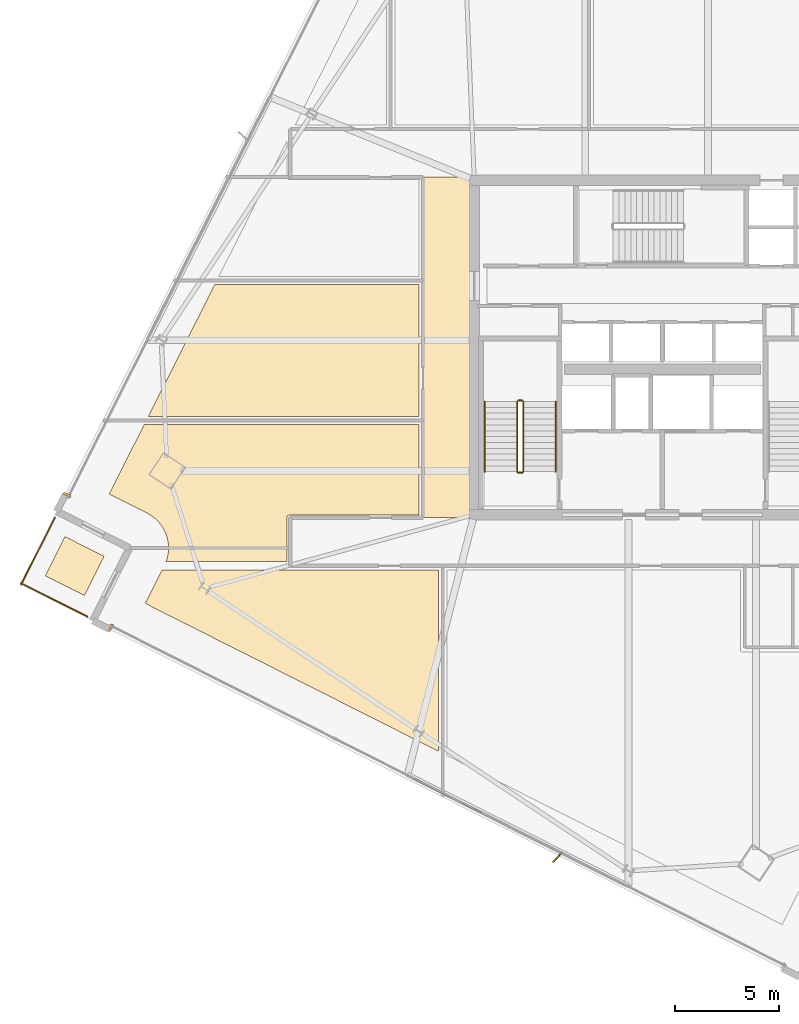
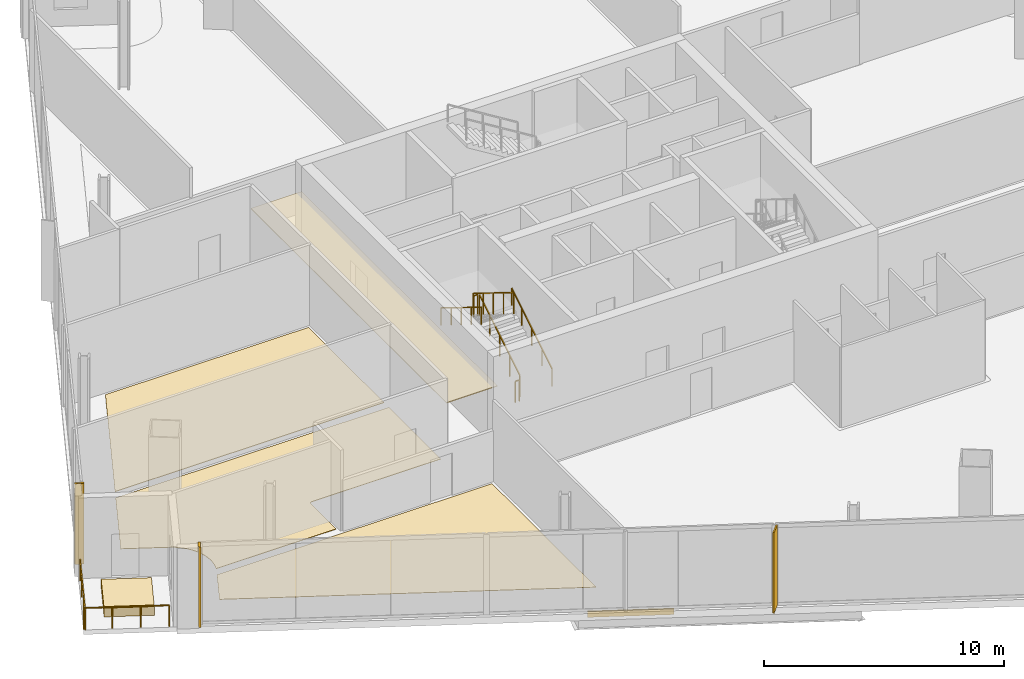
# One storey, part 23 of 27: 8 coverings, 8 railings, 1 shading device.
"""IFC4 building model written with IfcOpenShell, lengths in metres."""

from ifc_helpers import new_model, si_unit, direction, frame, origin, origin_2d, place, context, subcontext, project, spatial, polyline, rectangle, outline, extrude, source, transform, mapped, material, layer, layer_set, type_object, element, save


model = new_model("IFC4")

# Units and contexts
model_context = context("Model", 3, precision=1e-05, world=origin(), true_north=direction((0.0, 1.0)))
body_context = subcontext(model_context, "Body", "Model", "MODEL_VIEW")
ifc_project = project(units=[si_unit("LENGTHUNIT", "METRE"), si_unit("AREAUNIT", "SQUARE_METRE"), si_unit("VOLUMEUNIT", "CUBIC_METRE"), si_unit("PLANEANGLEUNIT", "RADIAN"), si_unit("MASSUNIT", "GRAM", prefix="KILO")], contexts=[model_context])

# Site, building, storey
site_placement = place(None, origin())
site = spatial("IfcSite", under=ifc_project, at=site_placement, CompositionType="ELEMENT")
building_placement = place(site_placement, origin())
building = spatial("IfcBuilding", under=site, at=building_placement, Name="Haldenkirk Collegiate Tower", CompositionType="ELEMENT")
storey_placement = place(building_placement, frame((0.0, 0.0, 239.699951171875)))
storey = spatial("IfcBuildingStorey", under=building, at=storey_placement, Name="L60", CompositionType="ELEMENT", Elevation=239.699951171875)

# Coverings
ifc_material_1 = material(Name="Suspended mineral-fibre acoustic tile", Category="concrete")
ifc_layer_1 = layer(ifc_material_1, 0.0400390625)
ifc_layer_set_1 = layer_set([ifc_layer_1], Name="Suspended mineral-fibre acoustic tile")
covering_type_1 = type_object("IfcCoveringType", Name="COV-CEIL-ACOUSTIC", PredefinedType="CEILING", material=ifc_layer_set_1)
covering_1_placement = place(storey_placement, frame((0.0, 0.0, 2.85009765625)))
element("IfcCovering", 1, at=covering_1_placement, inside=storey, type_object=covering_type_1, Name="L60 acoustic suspended ceiling CLG-L60-COR", PredefinedType="CEILING", context=body_context, shape_type="SweptSolid", body=[
    extrude(outline(polyline([(24.550048828125, 17.85009765625), (27.0, 17.85009765625), (27.0, 34.14990234375), (24.550048828125, 34.14990234375), (24.550048828125, 17.85009765625)])), origin(), (0.0, 0.0, 1.0), 0.0400390625),
])
ifc_material_2 = material(Name="Polished collegiate terrazzo", Category="concrete")
ifc_layer_2 = layer(ifc_material_2, 0.02490234375)
ifc_layer_set_2 = layer_set([ifc_layer_2], Name="Polished collegiate terrazzo")
covering_type_2 = type_object("IfcCoveringType", Name="COV-FLOOR-TERRAZZO", PredefinedType="FLOORING", material=ifc_layer_set_2)
covering_2_placement = place(storey_placement, origin())
element("IfcCovering", 2, at=covering_2_placement, inside=storey, type_object=covering_type_2, Name="L60 academic room finish 08", PredefinedType="FLOORING", context=body_context, shape_type="SweptSolid", body=[
    extrude(outline(polyline([(14.57763671875, 29.0), (24.35009765625, 29.0), (24.35009765625, 22.699951171875), (11.402099609375, 22.699951171875), (14.57763671875, 29.0)])), origin(), (0.0, 0.0, 1.0), 0.025146484375),
])
ifc_material_3 = material(Name="Engineered collegiate oak acoustic flooring", Category="wood")
ifc_layer_3 = layer(ifc_material_3, 0.02197265625)
ifc_layer_set_3 = layer_set([ifc_layer_3], Name="Engineered collegiate oak acoustic flooring")
covering_type_3 = type_object("IfcCoveringType", Name="COV-FLOOR-TIMBER", PredefinedType="FLOORING", material=ifc_layer_set_3)
covering_3_placement = place(storey_placement, origin())
element("IfcCovering", 3, at=covering_3_placement, inside=storey, type_object=covering_type_3, Name="L60 academic room finish 01", PredefinedType="FLOORING", context=body_context, shape_type="SweptSolid", body=[
    extrude(outline(polyline([(11.25634765625, 13.74560546875), (12.06494140625, 15.35009765625), (25.300048828125, 15.35009765625), (25.300048828125, 6.6669921875), (11.25634765625, 13.74560546875)])), origin(), (0.0, 0.0, 1.0), 0.02197265625),
])
covering_4_placement = place(storey_placement, origin())
element("IfcCovering", 4, at=covering_4_placement, inside=storey, type_object=covering_type_3, Name="L60 academic room finish 07", PredefinedType="FLOORING", context=body_context, shape_type="SweptSolid", body=[
    extrude(outline(polyline([(12.25244140625, 15.75), (12.30029296875, 15.894775390625), (12.3037109375, 15.906005859375), (12.34130859375, 16.07373046875), (12.34326171875, 16.085205078125), (12.364501953125, 16.255615234375), (12.365234375, 16.267333984375), (12.36962890625, 16.439208984375), (12.369384765625, 16.45068359375), (12.356689453125, 16.6220703125), (12.355224609375, 16.6337890625), (12.325927734375, 16.802978515625), (12.323486328125, 16.814453125), (12.27783203125, 16.97998046875), (12.274169921875, 16.9912109375), (12.21240234375, 17.151611328125), (12.20751953125, 17.162353515625), (12.13037109375, 17.315673828125), (12.12451171875, 17.325927734375), (12.03271484375, 17.47119140625), (12.02587890625, 17.480712890625), (11.92041015625, 17.6162109375), (11.912841796875, 17.625), (11.79443359375, 17.74951171875), (11.785888671875, 17.7578125), (11.656005859375, 17.869873046875), (11.646728515625, 17.877197265625), (11.50634765625, 17.976318359375), (11.496337890625, 17.982421875), (11.346923828125, 18.067138671875), (11.341796875, 18.070068359375), (9.529052734375, 18.983642578125), (11.200439453125, 22.300048828125), (24.35009765625, 22.300048828125), (24.35009765625, 17.969970703125), (18.14990234375, 17.969970703125), (18.13818359375, 17.969482421875), (18.126708984375, 17.9677734375), (18.115234375, 17.96484375), (18.10400390625, 17.9609375), (18.093505859375, 17.955810546875), (18.083251953125, 17.94970703125), (18.073974609375, 17.94287109375), (18.065185546875, 17.934814453125), (18.05712890625, 17.926025390625), (18.05029296875, 17.916748046875), (18.044189453125, 17.906494140625), (18.0390625, 17.89599609375), (18.03515625, 17.884765625), (18.0322265625, 17.873291015625), (18.030517578125, 17.86181640625), (18.030029296875, 17.85009765625), (18.030029296875, 15.75), (12.25244140625, 15.75)])), origin(), (0.0, 0.0, 1.0), 0.02197265625),
])
ifc_material_4 = material(Name="Precast concrete f'c 40 MPa", Category="concrete")
ifc_layer_4 = layer(ifc_material_4, 0.449951171875)
ifc_layer_set_4 = layer_set([ifc_layer_4], Name="Precast concrete f'c 40 MPa")
covering_type_4 = type_object("IfcCoveringType", Name="COV-PLANTER-450", PredefinedType="USERDEFINED", material=ifc_layer_set_4)
covering_5_placement = place(storey_placement, origin())
element("IfcCovering", 5, at=covering_5_placement, inside=storey, type_object=covering_type_4, Name="L60 planted garden planter bed", ObjectType="PLANTER", PredefinedType="USERDEFINED", context=body_context, shape_type="SweptSolid", body=[
    extrude(outline(polyline([(8.34619140625, 14.126220703125), (6.470947265625, 15.071533203125), (7.416015625, 16.94677734375), (9.291259765625, 16.00146484375), (8.34619140625, 14.126220703125)])), origin(), (0.0, 0.0, 1.0), 0.449951171875),
])

# Railings
ifc_material_5 = material(Name="Painted architectural tubular steel", Category="steel")
railing_type_1 = type_object("IfcRailingType", Name="RLG-STAIR-GUARD-1100", PredefinedType="BALUSTRADE", material=ifc_material_5)
railing_1_placement = place(storey_placement, frame((29.35009765625, 20.050048828125, 0.173095703125)))
element("IfcRailing", 6, at=railing_1_placement, inside=storey, type_object=railing_type_1, Name="L60 ST-1 stair guard 1", PredefinedType="BALUSTRADE", context=body_context, shape_type="SweptSolid", body=[
    extrude(rectangle(XDim=0.048095703125, YDim=0.048095703125, at=origin_2d()), frame((0.0, 0.0, 1.076171875), z_axis=(0.0, 0.850606129759, 0.525803396734), x_axis=(-1.0, 0.0, 0.0)), (0.0, 0.0, 1.0), 3.949951171875),
    extrude(rectangle(XDim=0.0419921875, YDim=0.0419921875, at=origin_2d()), origin(), (0.0, 0.0, 1.0), 1.052001953125),
    extrude(rectangle(XDim=0.0419921875, YDim=0.0419921875, at=origin_2d()), frame((0.0, 0.83984375, 0.519287109375)), (0.0, 0.0, 1.0), 1.052001953125),
    extrude(rectangle(XDim=0.0419921875, YDim=0.0419921875, at=origin_2d()), frame((0.0, 1.679931640625, 1.03857421875)), (0.0, 0.0, 1.0), 1.052001953125),
    extrude(rectangle(XDim=0.0419921875, YDim=0.0419921875, at=origin_2d()), frame((0.0, 2.52001953125, 1.5576171875)), (0.0, 0.0, 1.0), 1.052001953125),
    extrude(rectangle(XDim=0.0419921875, YDim=0.0419921875, at=origin_2d()), frame((0.0, 3.35986328125, 2.076904296875)), (0.0, 0.0, 1.0), 1.052001953125),
])
railing_2_placement = place(storey_placement, frame((29.300048828125, 23.4599609375, 2.25)))
element("IfcRailing", 7, at=railing_2_placement, inside=storey, type_object=railing_type_1, Name="L60 ST-1 stair guard 2", PredefinedType="BALUSTRADE", context=body_context, shape_type="SweptSolid", body=[
    extrude(rectangle(XDim=0.048095703125, YDim=0.048095703125, at=origin_2d()), frame((0.0, 0.0, 1.076171875), z_axis=(-1.0, 0.0, 0.0), x_axis=(0.0, -1.0, 0.0)), (0.0, 0.0, 1.0), 0.199951171875),
    extrude(rectangle(XDim=0.0419921875, YDim=0.0419921875, at=origin_2d()), origin(), (0.0, 0.0, 1.0), 1.052001953125),
    extrude(rectangle(XDim=0.0419921875, YDim=0.0419921875, at=origin_2d()), frame((-0.199951171875, 0.0, 0.0)), (0.0, 0.0, 1.0), 1.052001953125),
])
railing_3_placement = place(storey_placement, frame((29.050048828125, 23.409912109375, 2.423095703125)))
element("IfcRailing", 8, at=railing_3_placement, inside=storey, type_object=railing_type_1, Name="L60 ST-1 stair guard 3", PredefinedType="BALUSTRADE", context=body_context, shape_type="SweptSolid", body=[
    extrude(rectangle(XDim=0.048095703125, YDim=0.048095703125, at=origin_2d()), frame((0.0, 0.0, 1.076171875), z_axis=(0.0, -0.850606129759, 0.525803396734), x_axis=(1.0, 0.0, 0.0)), (0.0, 0.0, 1.0), 3.949951171875),
    extrude(rectangle(XDim=0.0419921875, YDim=0.0419921875, at=origin_2d()), origin(), (0.0, 0.0, 1.0), 1.052001953125),
    extrude(rectangle(XDim=0.0419921875, YDim=0.0419921875, at=origin_2d()), frame((0.0, -0.83984375, 0.519287109375)), (0.0, 0.0, 1.0), 1.052001953125),
    extrude(rectangle(XDim=0.0419921875, YDim=0.0419921875, at=origin_2d()), frame((0.0, -1.679931640625, 1.03857421875)), (0.0, 0.0, 1.0), 1.052001953125),
    extrude(rectangle(XDim=0.0419921875, YDim=0.0419921875, at=origin_2d()), frame((0.0, -2.52001953125, 1.5576171875)), (0.0, 0.0, 1.0), 1.052001953125),
    extrude(rectangle(XDim=0.0419921875, YDim=0.0419921875, at=origin_2d()), frame((0.0, -3.35986328125, 2.076904296875)), (0.0, 0.0, 1.0), 1.052001953125),
])
railing_4_placement = place(storey_placement, frame((29.300048828125, 20.0, 0.0)))
element("IfcRailing", 9, at=railing_4_placement, inside=storey, type_object=railing_type_1, Name="L60 ST-1 stair guard 4", PredefinedType="BALUSTRADE", context=body_context, shape_type="SweptSolid", body=[
    extrude(rectangle(XDim=0.048095703125, YDim=0.048095703125, at=origin_2d()), frame((0.0, 0.0, 1.076171875), z_axis=(-1.0, 0.0, 0.0), x_axis=(0.0, -1.0, 0.0)), (0.0, 0.0, 1.0), 0.199951171875),
    extrude(rectangle(XDim=0.0419921875, YDim=0.0419921875, at=origin_2d()), origin(), (0.0, 0.0, 1.0), 1.052001953125),
    extrude(rectangle(XDim=0.0419921875, YDim=0.0419921875, at=origin_2d()), frame((-0.199951171875, 0.0, 0.0)), (0.0, 0.0, 1.0), 1.052001953125),
])
railing_type_2 = type_object("IfcRailingType", Name="RLG-STAIR-HANDRAIL-900", PredefinedType="HANDRAIL", material=ifc_material_5)
railing_5_placement = place(storey_placement, frame((30.89990234375, 20.050048828125, 0.173095703125)))
element("IfcRailing", 10, at=railing_5_placement, inside=storey, type_object=railing_type_2, Name="L60 ST-1 stair handrail 1", PredefinedType="HANDRAIL", context=body_context, shape_type="SweptSolid", body=[
    extrude(rectangle(XDim=0.048095703125, YDim=0.048095703125, at=origin_2d()), frame((0.0, 0.0, 0.8759765625), z_axis=(0.0, 0.850606129759, 0.525803396734), x_axis=(-1.0, 0.0, 0.0)), (0.0, 0.0, 1.0), 3.949951171875),
    extrude(rectangle(XDim=0.0419921875, YDim=0.0419921875, at=origin_2d()), origin(), (0.0, 0.0, 1.0), 0.851806640625),
    extrude(rectangle(XDim=0.0419921875, YDim=0.0419921875, at=origin_2d()), frame((0.0, 0.83984375, 0.519287109375)), (0.0, 0.0, 1.0), 0.851806640625),
    extrude(rectangle(XDim=0.0419921875, YDim=0.0419921875, at=origin_2d()), frame((0.0, 1.679931640625, 1.03857421875)), (0.0, 0.0, 1.0), 0.851806640625),
    extrude(rectangle(XDim=0.0419921875, YDim=0.0419921875, at=origin_2d()), frame((0.0, 2.52001953125, 1.5576171875)), (0.0, 0.0, 1.0), 0.851806640625),
    extrude(rectangle(XDim=0.0419921875, YDim=0.0419921875, at=origin_2d()), frame((0.0, 3.35986328125, 2.076904296875)), (0.0, 0.0, 1.0), 0.851806640625),
])
railing_6_placement = place(storey_placement, frame((27.5, 23.409912109375, 2.423095703125)))
element("IfcRailing", 11, at=railing_6_placement, inside=storey, type_object=railing_type_2, Name="L60 ST-1 stair handrail 2", PredefinedType="HANDRAIL", context=body_context, shape_type="SweptSolid", body=[
    extrude(rectangle(XDim=0.048095703125, YDim=0.048095703125, at=origin_2d()), frame((0.0, 0.0, 0.8759765625), z_axis=(0.0, -0.850606129759, 0.525803396734), x_axis=(1.0, 0.0, 0.0)), (0.0, 0.0, 1.0), 3.949951171875),
    extrude(rectangle(XDim=0.0419921875, YDim=0.0419921875, at=origin_2d()), origin(), (0.0, 0.0, 1.0), 0.851806640625),
    extrude(rectangle(XDim=0.0419921875, YDim=0.0419921875, at=origin_2d()), frame((0.0, -0.83984375, 0.519287109375)), (0.0, 0.0, 1.0), 0.851806640625),
    extrude(rectangle(XDim=0.0419921875, YDim=0.0419921875, at=origin_2d()), frame((0.0, -1.679931640625, 1.03857421875)), (0.0, 0.0, 1.0), 0.851806640625),
    extrude(rectangle(XDim=0.0419921875, YDim=0.0419921875, at=origin_2d()), frame((0.0, -2.52001953125, 1.5576171875)), (0.0, 0.0, 1.0), 0.851806640625),
    extrude(rectangle(XDim=0.0419921875, YDim=0.0419921875, at=origin_2d()), frame((0.0, -3.35986328125, 2.076904296875)), (0.0, 0.0, 1.0), 0.851806640625),
])
ifc_material_6 = material(Name="Anodised architectural bronze aluminium", Category="aluminium")
railing_type_3 = type_object("IfcRailingType", Name="RLG-TERR-BALUSTRADE-1100", PredefinedType="BALUSTRADE", material=ifc_material_6)
railing_7_placement = place(storey_placement, frame((6.927001953125, 17.8427734375, 0.0)))
element("IfcRailing", 12, at=railing_7_placement, inside=storey, type_object=railing_type_3, Name="L60 terrace guard balustrade 3-1", PredefinedType="BALUSTRADE", context=body_context, shape_type="SweptSolid", body=[
    extrude(rectangle(XDim=0.048095703125, YDim=0.048095703125, at=origin_2d()), frame((0.0, 0.0, 1.076171875), z_axis=(-0.450102828158, -0.892976732107, 0.0), x_axis=(0.892976732107, -0.450102828158, 0.0)), (0.0, 0.0, 1.0), 3.579833984375),
    extrude(rectangle(XDim=0.0419921875, YDim=0.0419921875, at=origin_2d()), origin(), (0.0, 0.0, 1.0), 1.052001953125),
    extrude(rectangle(XDim=0.0419921875, YDim=0.0419921875, at=origin_2d()), frame((-0.537109375, -1.065673828125, 0.0)), (0.0, 0.0, 1.0), 1.052001953125),
    extrude(rectangle(XDim=0.0419921875, YDim=0.0419921875, at=origin_2d()), frame((-1.07421875, -2.131103515625, 0.0)), (0.0, 0.0, 1.0), 1.052001953125),
    extrude(rectangle(XDim=0.0419921875, YDim=0.0419921875, at=origin_2d()), frame((-1.611328125, -3.19677734375, 0.0)), (0.0, 0.0, 1.0), 1.052001953125),
])
railing_8_placement = place(storey_placement, frame((5.2890625, 14.7265625, 0.0)))
element("IfcRailing", 13, at=railing_8_placement, inside=storey, type_object=railing_type_3, Name="L60 terrace guard balustrade 4-1", PredefinedType="BALUSTRADE", context=body_context, shape_type="SweptSolid", body=[
    extrude(rectangle(XDim=0.048095703125, YDim=0.048095703125, at=origin_2d()), frame((0.0, 0.0, 1.076171875), z_axis=(0.892963138557, -0.450129795923, 0.0), x_axis=(0.450129795923, 0.892963138557, 0.0)), (0.0, 0.0, 1.0), 3.580322265625),
    extrude(rectangle(XDim=0.0419921875, YDim=0.0419921875, at=origin_2d()), origin(), (0.0, 0.0, 1.0), 1.052001953125),
    extrude(rectangle(XDim=0.0419921875, YDim=0.0419921875, at=origin_2d()), frame((1.065673828125, -0.537109375, 0.0)), (0.0, 0.0, 1.0), 1.052001953125),
    extrude(rectangle(XDim=0.0419921875, YDim=0.0419921875, at=origin_2d()), frame((2.13134765625, -1.074462890625, 0.0)), (0.0, 0.0, 1.0), 1.052001953125),
    extrude(rectangle(XDim=0.0419921875, YDim=0.0419921875, at=origin_2d()), frame((3.197021484375, -1.611572265625, 0.0)), (0.0, 0.0, 1.0), 1.052001953125),
])

# Coverings
ifc_layer_5 = layer(ifc_material_6, 0.06005859375)
ifc_layer_set_5 = layer_set([ifc_layer_5], Name="Anodised architectural bronze aluminium")
covering_type_5 = type_object("IfcCoveringType", Name="COV-CLAD-BRONZE-60", PredefinedType="CLADDING", material=ifc_layer_set_5)
shared_shape_1 = source(origin(), body_context, "Body", "SweptSolid", [
    extrude(rectangle(XDim=3.60009765625, YDim=0.06005859375, at=origin_2d()), origin(), (0.0, 0.0, 1.0), 0.300048828125),
])
covering_6_placement = place(storey_placement, frame((25.736572265625, 4.554443359375, -0.2998046875), z_axis=(0.0, 0.0, 1.0), x_axis=(-0.892978943411, 0.450098441037, 0.0)))
element("IfcCovering", 14, at=covering_6_placement, inside=storey, type_object=covering_type_5, Name="L60 architectural bronze spandrel cladding W", PredefinedType="CLADDING", context=body_context, shape_type="MappedRepresentation", body=[
    mapped(shared_shape_1, transform((0.0, 0.0, 0.0), x_axis=(1.0, 0.0, 0.0), y_axis=(0.0, 1.0, 0.0), z_axis=(0.0, 0.0, 1.0), scale=1.0)),
])
shared_shape_2 = source(origin(), body_context, "Body", "SweptSolid", [
    extrude(rectangle(XDim=0.10009765625, YDim=0.3798828125, at=origin_2d()), origin(), (0.0, 0.0, 1.0), 4.10009765625),
])
for number, where, z_axis, x_axis, name in (
    (15, (7.516357421875, 18.945556640625, 0.0), (0.0, 0.0, 1.0), (0.450098441037, 0.892978943411, 0.0), "L60 recessed curtain-wall bronze jamb closure NJL"),
    (16, (9.61572265625, 12.579345703125, 0.0), (0.0, 0.0, 1.0), (-0.892978943411, 0.450098441037, 0.0), "L60 recessed curtain-wall bronze jamb closure WJR"),
):
    element("IfcCovering", number, at=place(storey_placement, frame(where, z_axis=z_axis, x_axis=x_axis)), inside=storey, type_object=covering_type_5, Name=name, PredefinedType="CLADDING", context=body_context, shape_type="MappedRepresentation", body=[
        mapped(shared_shape_2, transform((0.0, 0.0, 0.0), x_axis=(1.0, 0.0, 0.0), y_axis=(0.0, 1.0, 0.0), z_axis=(0.0, 0.0, 1.0), scale=1.0)),
    ])

# Shading device
ifc_layer_6 = layer(ifc_material_6, 0.06494140625)
ifc_layer_set_6 = layer_set([ifc_layer_6], Name="Anodised architectural bronze aluminium")
shading_device_type = type_object("IfcShadingDeviceType", Name="SHD-FIN-BRONZE-620", PredefinedType="USERDEFINED", material=ifc_layer_set_6)
shared_shape_3 = source(origin(), body_context, "Body", "SweptSolid", [
    extrude(rectangle(XDim=0.6201171875, YDim=0.06494140625, at=origin_2d()), origin(), (0.0, 0.0, 1.0), 4.10009765625),
])
shading_device_placement = place(storey_placement, frame((30.972900390625, 1.584716796875, 0.0), z_axis=(0.0, 0.0, 1.0), x_axis=(-0.678800745533, -0.734322509436, 0.0)))
element("IfcShadingDevice", 17, at=shading_device_placement, inside=storey, type_object=shading_device_type, Name="L60 folded bronze solar fin 1", ObjectType="FIN", PredefinedType="USERDEFINED", context=body_context, shape_type="MappedRepresentation", body=[
    mapped(shared_shape_3, transform((0.0, 0.0, 0.0), x_axis=(1.0, 0.0, 0.0), y_axis=(0.0, 1.0, 0.0), z_axis=(0.0, 0.0, 1.0), scale=1.0)),
])

save(model, "model.ifc")
